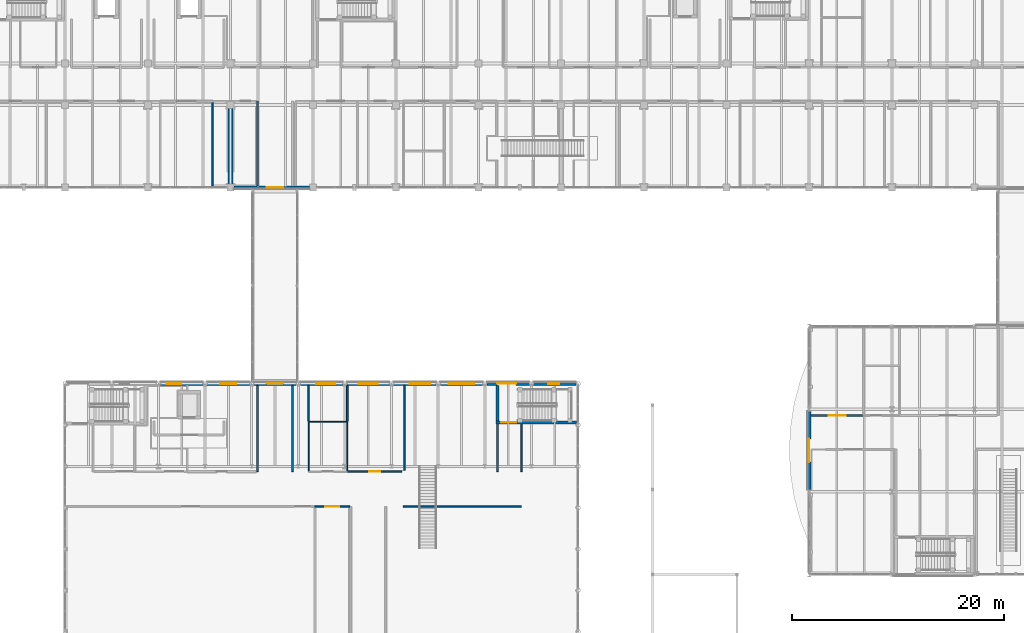
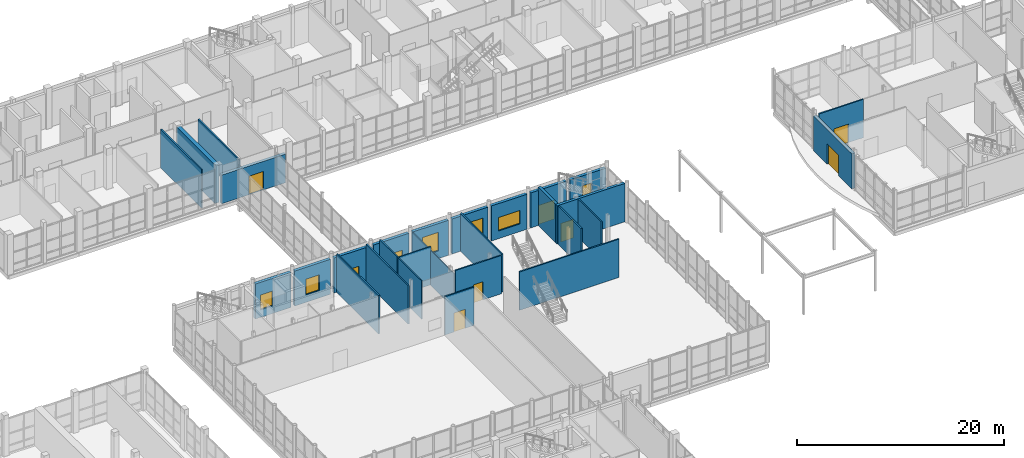
# One storey, part 99 of 131: 30 walls, 8 doors, 7 windows, 15 openings.
"""IFC4 building model written with IfcOpenShell, lengths in metres."""

from ifc_helpers import new_model, si_unit, direction, frame, frame_2d, origin, place, context, subcontext, project, spatial, rectangle, extrude, material, layer, layer_set, type_object, element, fill, save


model = new_model("IFC4")

# Units and contexts
model_context = context("Model", 3, precision=1e-05, world=origin(), true_north=direction((0.0, 1.0)))
body_context = subcontext(model_context, "Body", "Model", "MODEL_VIEW")
ifc_project = project(units=[si_unit("LENGTHUNIT", "METRE"), si_unit("AREAUNIT", "SQUARE_METRE"), si_unit("VOLUMEUNIT", "CUBIC_METRE"), si_unit("PLANEANGLEUNIT", "RADIAN"), si_unit("MASSUNIT", "GRAM", prefix="KILO")], contexts=[model_context])

# Site, building, storey
site_placement = place(None, origin())
site = spatial("IfcSite", under=ifc_project, at=site_placement, CompositionType="ELEMENT")
building_placement = place(site_placement, origin())
building = spatial("IfcBuilding", under=site, at=building_placement, Name="Celorna Specialist Clinic", CompositionType="ELEMENT")
storey_placement = place(building_placement, origin())
storey = spatial("IfcBuildingStorey", under=building, at=storey_placement, Name="L00", CompositionType="ELEMENT", Elevation=0.0)

# Wall
ifc_material_1 = material(Name="Concrete C40/50", Category="concrete")
ifc_layer_1 = layer(ifc_material_1, 0.449951171875, Name="Concrete C40/50")
ifc_layer_set_1 = layer_set([ifc_layer_1], Name="Concrete C40/50")
wall_type_1 = type_object("IfcWallType", Name="WT-04", PredefinedType="SHEAR", material=ifc_layer_set_1)
wall_1_placement = place(storey_placement, frame((70.199951171875, 96.68994140625, 0.0), z_axis=(0.0, 0.0, 1.0), x_axis=(0.0, 1.0, 0.0)))
element("IfcWall", 1, at=wall_1_placement, inside=storey, type_object=wall_type_1, Name="Structural RC shear wall WT-04 V4 L00", PredefinedType="SHEAR", context=body_context, shape_type="SweptSolid", body=[
    extrude(rectangle(XDim=7.4599609375, YDim=0.449951171875, at=frame_2d((3.72998046875, 0.0))), origin(), (0.0, 0.0, 1.0), 4.5400390625),
])

# Wall, opening, window
ifc_material_2 = material(Name="Pero Pinheiro Lioz limestone insulated masonry", Category="masonry")
ifc_layer_2 = layer(ifc_material_2, 0.340087890625, Name="Pero Pinheiro Lioz limestone insulated masonry")
ifc_layer_set_2 = layer_set([ifc_layer_2], Name="Pero Pinheiro Lioz limestone insulated masonry")
wall_type_2 = type_object("IfcWallType", Name="WT-07", PredefinedType="STANDARD", material=ifc_layer_set_2)
wall_2_placement = place(storey_placement, frame((63.603271484375, 78.0, 0.0), z_axis=(0.0, 0.0, 1.0), x_axis=(1.0, 0.0, 0.0)))
wall_2 = element("IfcWall", 2, at=wall_2_placement, inside=storey, type_object=wall_type_2, Name="External facade wall WT-07 #82", PredefinedType="STANDARD", context=body_context, shape_type="SweptSolid", body=[
    extrude(rectangle(XDim=3.993408203125, YDim=0.340087890625, at=frame_2d((1.99658203125, 0.0))), origin(), (0.0, 0.0, 1.0), 4.139892578125),
])
opening_1_placement = place(wall_2_placement, frame((0.593505859375, 0.0, 0.89990234375)))
opening_1 = element("IfcOpeningElement", 3, at=opening_1_placement, cuts=wall_2, Name="Opening WN-07", PredefinedType="OPENING", context=body_context, shape_type="SweptSolid", body=[
    extrude(rectangle(XDim=1.35009765625, YDim=1.75, at=frame_2d((0.675048828125, 0.875))), frame((0.0, 0.179931640625, 0.0), z_axis=(0.0, -1.0, 0.0), x_axis=(1.0, 0.0, 0.0)), (0.0, 0.0, 1.0), 0.360107421875),
])
ifc_material_3 = material(Name="Thermally broken aluminium triple-glazed window", Category="aluminium")
window_type_1 = type_object("IfcWindowType", Name="WN-07", PartitioningType="SINGLE_PANEL", PredefinedType="WINDOW", material=ifc_material_3)
window_1_placement = place(opening_1_placement, origin())
window_1 = element("IfcWindow", 4, at=window_1_placement, inside=storey, type_object=window_type_1, Name="Facade window WN-07 #2", OverallHeight=1.75, OverallWidth=1.35009765625, PartitioningType="SINGLE_PANEL", PredefinedType="WINDOW", context=body_context, shape_type="SweptSolid", body=[
    extrude(rectangle(XDim=1.35009765625, YDim=1.75, at=frame_2d((0.675048828125, 0.875))), frame((0.0, 0.030029296875, 0.0), z_axis=(0.0, -1.0, 0.0), x_axis=(1.0, 0.0, 0.0)), (0.0, 0.0, 1.0), 0.06005859375),
])
fill(opening_1, window_1)

wall_3_placement = place(storey_placement, frame((68.003173828125, 78.0, 0.0), z_axis=(0.0, 0.0, 1.0), x_axis=(1.0, 0.0, 0.0)))
wall_3 = element("IfcWall", 5, at=wall_3_placement, inside=storey, type_object=wall_type_2, Name="External facade wall WT-07 #83", PredefinedType="STANDARD", context=body_context, shape_type="SweptSolid", body=[
    extrude(rectangle(XDim=3.99365234375, YDim=0.340087890625, at=frame_2d((1.996826171875, 0.0))), origin(), (0.0, 0.0, 1.0), 4.139892578125),
])
opening_2_placement = place(wall_3_placement, frame((1.246826171875, 0.0, 0.89990234375)))
opening_2 = element("IfcOpeningElement", 6, at=opening_2_placement, cuts=wall_3, Name="Opening WN-09", PredefinedType="OPENING", context=body_context, shape_type="SweptSolid", body=[
    extrude(rectangle(XDim=1.5, YDim=1.85009765625, at=frame_2d((0.75, 0.925048828125))), frame((0.0, 0.179931640625, 0.0), z_axis=(0.0, -1.0, 0.0), x_axis=(1.0, 0.0, 0.0)), (0.0, 0.0, 1.0), 0.360107421875),
])
window_type_2 = type_object("IfcWindowType", Name="WN-09", PartitioningType="SINGLE_PANEL", PredefinedType="WINDOW", material=ifc_material_3)
window_2_placement = place(opening_2_placement, origin())
window_2 = element("IfcWindow", 7, at=window_2_placement, inside=storey, type_object=window_type_2, Name="Facade window WN-09 #3", OverallHeight=1.85009765625, OverallWidth=1.5, PartitioningType="SINGLE_PANEL", PredefinedType="WINDOW", context=body_context, shape_type="SweptSolid", body=[
    extrude(rectangle(XDim=1.5, YDim=1.85009765625, at=frame_2d((0.75, 0.925048828125))), frame((0.0, 0.030029296875, 0.0), z_axis=(0.0, -1.0, 0.0), x_axis=(1.0, 0.0, 0.0)), (0.0, 0.0, 1.0), 0.06005859375),
])
fill(opening_2, window_2)

# Wall, opening, door
wall_4_placement = place(storey_placement, frame((72.4033203125, 78.0, 0.0), z_axis=(0.0, 0.0, 1.0), x_axis=(1.0, 0.0, 0.0)))
wall_4 = element("IfcWall", 8, at=wall_4_placement, inside=storey, type_object=wall_type_2, Name="External facade wall WT-07 #84", PredefinedType="STANDARD", context=body_context, shape_type="SweptSolid", body=[
    extrude(rectangle(XDim=3.993408203125, YDim=0.340087890625, at=frame_2d((1.99658203125, 0.0))), origin(), (0.0, 0.0, 1.0), 4.139892578125),
])
opening_3_placement = place(wall_4_placement, frame((1.19677734375, 0.0, 0.0)))
opening_3 = element("IfcOpeningElement", 9, at=opening_3_placement, cuts=wall_4, Name="Opening DR-12", PredefinedType="OPENING", context=body_context, shape_type="SweptSolid", body=[
    extrude(rectangle(XDim=1.60009765625, YDim=2.199951171875, at=frame_2d((0.800048828125, 1.10009765625))), frame((0.0, 0.179931640625, 0.0), z_axis=(0.0, -1.0, 0.0), x_axis=(1.0, 0.0, 0.0)), (0.0, 0.0, 1.0), 0.360107421875),
])
ifc_material_4 = material(Name="Corridor cross-compartment pair door")
door_type_1 = type_object("IfcDoorType", Name="DR-12", OperationType="DOUBLE_DOOR_SINGLE_SWING", PredefinedType="DOOR", material=ifc_material_4)
door_1_placement = place(opening_3_placement, origin())
door_1 = element("IfcDoor", 10, at=door_1_placement, inside=storey, type_object=door_type_1, Name="Bridge BR-04 south/west portal door L00", OperationType="DOUBLE_DOOR_SINGLE_SWING", OverallHeight=2.199951171875, OverallWidth=1.60009765625, PredefinedType="DOOR", context=body_context, shape_type="SweptSolid", body=[
    extrude(rectangle(XDim=1.60009765625, YDim=2.199951171875, at=frame_2d((0.800048828125, 1.10009765625))), frame((0.0, 0.02490234375, 0.0), z_axis=(0.0, -1.0, 0.0), x_axis=(1.0, 0.0, 0.0)), (0.0, 0.0, 1.0), 0.050048828125),
])
fill(opening_3, door_1)

# Wall, opening, window
wall_5_placement = place(storey_placement, frame((76.80322265625, 78.0, 0.0), z_axis=(0.0, 0.0, 1.0), x_axis=(1.0, 0.0, 0.0)))
wall_5 = element("IfcWall", 11, at=wall_5_placement, inside=storey, type_object=wall_type_2, Name="External facade wall WT-07 #85", PredefinedType="STANDARD", context=body_context, shape_type="SweptSolid", body=[
    extrude(rectangle(XDim=3.99365234375, YDim=0.340087890625, at=frame_2d((1.996826171875, 0.0))), origin(), (0.0, 0.0, 1.0), 4.139892578125),
])
opening_4_placement = place(wall_5_placement, frame((1.47021484375, 0.0, 0.89990234375)))
opening_4 = element("IfcOpeningElement", 12, at=opening_4_placement, cuts=wall_5, Name="Opening WN-12", PredefinedType="OPENING", context=body_context, shape_type="SweptSolid", body=[
    extrude(rectangle(XDim=1.800048828125, YDim=1.5, at=frame_2d((0.89990234375, 0.75))), frame((0.0, 0.179931640625, 0.0), z_axis=(0.0, -1.0, 0.0), x_axis=(1.0, 0.0, 0.0)), (0.0, 0.0, 1.0), 0.360107421875),
])
window_type_3 = type_object("IfcWindowType", Name="WN-12", PartitioningType="SINGLE_PANEL", PredefinedType="WINDOW", material=ifc_material_3)
window_3_placement = place(opening_4_placement, origin())
window_3 = element("IfcWindow", 13, at=window_3_placement, inside=storey, type_object=window_type_3, Name="Facade window WN-12 #4", OverallHeight=1.5, OverallWidth=1.800048828125, PartitioningType="SINGLE_PANEL", PredefinedType="WINDOW", context=body_context, shape_type="SweptSolid", body=[
    extrude(rectangle(XDim=1.800048828125, YDim=1.5, at=frame_2d((0.89990234375, 0.75))), frame((0.0, 0.030029296875, 0.0), z_axis=(0.0, -1.0, 0.0), x_axis=(1.0, 0.0, 0.0)), (0.0, 0.0, 1.0), 0.06005859375),
])
fill(opening_4, window_3)

wall_6_placement = place(storey_placement, frame((81.203125, 78.0, 0.0), z_axis=(0.0, 0.0, 1.0), x_axis=(1.0, 0.0, 0.0)))
wall_6 = element("IfcWall", 14, at=wall_6_placement, inside=storey, type_object=wall_type_2, Name="External facade wall WT-07 #86", PredefinedType="STANDARD", context=body_context, shape_type="SweptSolid", body=[
    extrude(rectangle(XDim=3.99365234375, YDim=0.340087890625, at=frame_2d((1.996826171875, 0.0))), origin(), (0.0, 0.0, 1.0), 4.139892578125),
])
opening_5_placement = place(wall_6_placement, frame((1.0966796875, 0.0, 0.89990234375)))
opening_5 = element("IfcOpeningElement", 15, at=opening_5_placement, cuts=wall_6, Name="Opening WN-14", PredefinedType="OPENING", context=body_context, shape_type="SweptSolid", body=[
    extrude(rectangle(XDim=1.800048828125, YDim=2.199951171875, at=frame_2d((0.89990234375, 1.10009765625))), frame((0.0, 0.179931640625, 0.0), z_axis=(0.0, -1.0, 0.0), x_axis=(1.0, 0.0, 0.0)), (0.0, 0.0, 1.0), 0.360107421875),
])
window_type_4 = type_object("IfcWindowType", Name="WN-14", PartitioningType="SINGLE_PANEL", PredefinedType="WINDOW", material=ifc_material_3)
window_4_placement = place(opening_5_placement, origin())
window_4 = element("IfcWindow", 16, at=window_4_placement, inside=storey, type_object=window_type_4, Name="Facade window WN-14 #5", OverallHeight=2.199951171875, OverallWidth=1.800048828125, PartitioningType="SINGLE_PANEL", PredefinedType="WINDOW", context=body_context, shape_type="SweptSolid", body=[
    extrude(rectangle(XDim=1.800048828125, YDim=2.199951171875, at=frame_2d((0.89990234375, 1.10009765625))), frame((0.0, 0.030029296875, 0.0), z_axis=(0.0, -1.0, 0.0), x_axis=(1.0, 0.0, 0.0)), (0.0, 0.0, 1.0), 0.06005859375),
])
fill(opening_5, window_4)

wall_7_placement = place(storey_placement, frame((85.603271484375, 78.0, 0.0), z_axis=(0.0, 0.0, 1.0), x_axis=(1.0, 0.0, 0.0)))
wall_7 = element("IfcWall", 17, at=wall_7_placement, inside=storey, type_object=wall_type_2, Name="External facade wall WT-07 #87", PredefinedType="STANDARD", context=body_context, shape_type="SweptSolid", body=[
    extrude(rectangle(XDim=3.993408203125, YDim=0.340087890625, at=frame_2d((1.99658203125, 0.0))), origin(), (0.0, 0.0, 1.0), 4.139892578125),
])
opening_6_placement = place(wall_7_placement, frame((1.51025390625, 0.0, 0.89990234375)))
opening_6 = element("IfcOpeningElement", 18, at=opening_6_placement, cuts=wall_7, Name="Opening WN-16", PredefinedType="OPENING", context=body_context, shape_type="SweptSolid", body=[
    extrude(rectangle(XDim=1.949951171875, YDim=2.14990234375, at=frame_2d((0.97509765625, 1.074951171875))), frame((0.0, 0.179931640625, 0.0), z_axis=(0.0, -1.0, 0.0), x_axis=(1.0, 0.0, 0.0)), (0.0, 0.0, 1.0), 0.360107421875),
])
ifc_material_5 = material(Name="Screen-aligned modular clinic window")
window_type_5 = type_object("IfcWindowType", Name="WN-16", PartitioningType="SINGLE_PANEL", PredefinedType="WINDOW", material=ifc_material_5)
window_5_placement = place(opening_6_placement, origin())
window_5 = element("IfcWindow", 19, at=window_5_placement, inside=storey, type_object=window_type_5, Name="Facade window WN-16 #6", OverallHeight=2.14990234375, OverallWidth=1.949951171875, PartitioningType="SINGLE_PANEL", PredefinedType="WINDOW", context=body_context, shape_type="SweptSolid", body=[
    extrude(rectangle(XDim=1.949951171875, YDim=2.14990234375, at=frame_2d((0.97509765625, 1.074951171875))), frame((0.0, 0.030029296875, 0.0), z_axis=(0.0, -1.0, 0.0), x_axis=(1.0, 0.0, 0.0)), (0.0, 0.0, 1.0), 0.06005859375),
])
fill(opening_6, window_5)

wall_8_placement = place(storey_placement, frame((90.003173828125, 78.0, 0.0), z_axis=(0.0, 0.0, 1.0), x_axis=(1.0, 0.0, 0.0)))
wall_8 = element("IfcWall", 20, at=wall_8_placement, inside=storey, type_object=wall_type_2, Name="External facade wall WT-07 #88", PredefinedType="STANDARD", context=body_context, shape_type="SweptSolid", body=[
    extrude(rectangle(XDim=3.99365234375, YDim=0.340087890625, at=frame_2d((1.996826171875, 0.0))), origin(), (0.0, 0.0, 1.0), 4.139892578125),
])
opening_7_placement = place(wall_8_placement, frame((0.796875, 0.0, 0.89990234375)))
opening_7 = element("IfcOpeningElement", 21, at=opening_7_placement, cuts=wall_8, Name="Opening WN-18", PredefinedType="OPENING", context=body_context, shape_type="SweptSolid", body=[
    extrude(rectangle(XDim=2.39990234375, YDim=1.60009765625, at=frame_2d((1.199951171875, 0.800048828125))), frame((0.0, 0.179931640625, 0.0), z_axis=(0.0, -1.0, 0.0), x_axis=(1.0, 0.0, 0.0)), (0.0, 0.0, 1.0), 0.360107421875),
])
ifc_material_6 = material(Name="Infusion suite panoramic window")
window_type_6 = type_object("IfcWindowType", Name="WN-18", PartitioningType="SINGLE_PANEL", PredefinedType="WINDOW", material=ifc_material_6)
window_6_placement = place(opening_7_placement, origin())
window_6 = element("IfcWindow", 22, at=window_6_placement, inside=storey, type_object=window_type_6, Name="Facade window WN-18 #7", OverallHeight=1.60009765625, OverallWidth=2.39990234375, PartitioningType="SINGLE_PANEL", PredefinedType="WINDOW", context=body_context, shape_type="SweptSolid", body=[
    extrude(rectangle(XDim=2.39990234375, YDim=1.60009765625, at=frame_2d((1.199951171875, 0.800048828125))), frame((0.0, 0.030029296875, 0.0), z_axis=(0.0, -1.0, 0.0), x_axis=(1.0, 0.0, 0.0)), (0.0, 0.0, 1.0), 0.06005859375),
])
fill(opening_7, window_6)

# Wall, opening, door
wall_9_placement = place(storey_placement, frame((94.4033203125, 78.0, 0.0), z_axis=(0.0, 0.0, 1.0), x_axis=(1.0, 0.0, 0.0)))
wall_9 = element("IfcWall", 23, at=wall_9_placement, inside=storey, type_object=wall_type_2, Name="External facade wall WT-07 #89", PredefinedType="STANDARD", context=body_context, shape_type="SweptSolid", body=[
    extrude(rectangle(XDim=3.993408203125, YDim=0.340087890625, at=frame_2d((1.99658203125, 0.0))), origin(), (0.0, 0.0, 1.0), 4.139892578125),
])
opening_8_placement = place(wall_9_placement, frame((0.956787109375, 0.0, 0.0)))
opening_8 = element("IfcOpeningElement", 24, at=opening_8_placement, cuts=wall_9, Name="Opening DR-14", PredefinedType="OPENING", context=body_context, shape_type="SweptSolid", body=[
    extrude(rectangle(XDim=1.800048828125, YDim=2.25, at=frame_2d((0.89990234375, 1.125))), frame((0.0, 0.179931640625, 0.0), z_axis=(0.0, -1.0, 0.0), x_axis=(1.0, 0.0, 0.0)), (0.0, 0.0, 1.0), 0.360107421875),
])
ifc_material_7 = material(Name="Glazed aluminium final exit double door", Category="aluminium")
door_type_2 = type_object("IfcDoorType", Name="DR-14", OperationType="DOUBLE_DOOR_SINGLE_SWING", PredefinedType="DOOR", material=ifc_material_7)
door_2_placement = place(opening_8_placement, origin())
door_2 = element("IfcDoor", 25, at=door_2_placement, inside=storey, type_object=door_type_2, Name="Pedestrian final exit E11", OperationType="DOUBLE_DOOR_SINGLE_SWING", OverallHeight=2.25, OverallWidth=1.800048828125, PredefinedType="DOOR", context=body_context, shape_type="SweptSolid", body=[
    extrude(rectangle(XDim=1.800048828125, YDim=2.25, at=frame_2d((0.89990234375, 1.125))), frame((0.0, 0.02490234375, 0.0), z_axis=(0.0, -1.0, 0.0), x_axis=(1.0, 0.0, 0.0)), (0.0, 0.0, 1.0), 0.050048828125),
])
fill(opening_8, door_2)

# Wall, opening, window
wall_10_placement = place(storey_placement, frame((98.80322265625, 78.0, 0.0), z_axis=(0.0, 0.0, 1.0), x_axis=(1.0, 0.0, 0.0)))
wall_10 = element("IfcWall", 26, at=wall_10_placement, inside=storey, type_object=wall_type_2, Name="External facade wall WT-07 #90", PredefinedType="STANDARD", context=body_context, shape_type="SweptSolid", body=[
    extrude(rectangle(XDim=3.99365234375, YDim=0.340087890625, at=frame_2d((1.996826171875, 0.0))), origin(), (0.0, 0.0, 1.0), 4.139892578125),
])
opening_9_placement = place(wall_10_placement, frame((1.37841796875, 0.0, 0.89990234375)))
opening_9 = element("IfcOpeningElement", 27, at=opening_9_placement, cuts=wall_10, Name="Opening WN-22", PredefinedType="OPENING", context=body_context, shape_type="SweptSolid", body=[
    extrude(rectangle(XDim=1.050048828125, YDim=2.050048828125, at=frame_2d((0.52490234375, 1.02490234375))), frame((0.0, 0.179931640625, 0.0), z_axis=(0.0, -1.0, 0.0), x_axis=(1.0, 0.0, 0.0)), (0.0, 0.0, 1.0), 0.360107421875),
])
window_type_7 = type_object("IfcWindowType", Name="WN-22", PartitioningType="SINGLE_PANEL", PredefinedType="WINDOW", material=ifc_material_3)
window_7_placement = place(opening_9_placement, origin())
window_7 = element("IfcWindow", 28, at=window_7_placement, inside=storey, type_object=window_type_7, Name="Facade window WN-22 #8", OverallHeight=2.050048828125, OverallWidth=1.050048828125, PartitioningType="SINGLE_PANEL", PredefinedType="WINDOW", context=body_context, shape_type="SweptSolid", body=[
    extrude(rectangle(XDim=1.050048828125, YDim=2.050048828125, at=frame_2d((0.52490234375, 1.02490234375))), frame((0.0, 0.030029296875, 0.0), z_axis=(0.0, -1.0, 0.0), x_axis=(1.0, 0.0, 0.0)), (0.0, 0.0, 1.0), 0.06005859375),
])
fill(opening_9, window_7)

# Wall, opening, door
wall_11_placement = place(storey_placement, frame((124.800048828125, 67.9951171875, 0.0), z_axis=(0.0, 0.0, 1.0), x_axis=(0.0, 1.0, 0.0)))
wall_11 = element("IfcWall", 29, at=wall_11_placement, inside=storey, type_object=wall_type_2, Name="External facade wall WT-07 #146", PredefinedType="STANDARD", context=body_context, shape_type="SweptSolid", body=[
    extrude(rectangle(XDim=7.409912109375, YDim=0.340087890625, at=frame_2d((3.705078125, 0.0))), origin(), (0.0, 0.0, 1.0), 4.139892578125),
])
opening_10_placement = place(wall_11_placement, frame((2.60498046875, 0.0, 0.0)))
opening_10 = element("IfcOpeningElement", 30, at=opening_10_placement, cuts=wall_11, Name="Opening DR-15", PredefinedType="OPENING", context=body_context, shape_type="SweptSolid", body=[
    extrude(rectangle(XDim=2.199951171875, YDim=2.39990234375, at=frame_2d((1.10009765625, 1.199951171875))), frame((0.0, 0.179931640625, 0.0), z_axis=(0.0, -1.0, 0.0), x_axis=(1.0, 0.0, 0.0)), (0.0, 0.0, 1.0), 0.360107421875),
])
ifc_material_8 = material(Name="Cloister entrance glazed double door")
door_type_3 = type_object("IfcDoorType", Name="DR-15", OperationType="DOUBLE_DOOR_SINGLE_SWING", PredefinedType="DOOR", material=ifc_material_8)
door_3_placement = place(opening_10_placement, origin())
door_3 = element("IfcDoor", 31, at=door_3_placement, inside=storey, type_object=door_type_3, Name="Healing garden entrance E17", OperationType="DOUBLE_DOOR_SINGLE_SWING", OverallHeight=2.39990234375, OverallWidth=2.199951171875, PredefinedType="DOOR", context=body_context, shape_type="SweptSolid", body=[
    extrude(rectangle(XDim=2.199951171875, YDim=2.39990234375, at=frame_2d((1.10009765625, 1.199951171875))), frame((0.0, 0.02490234375, 0.0), z_axis=(0.0, -1.0, 0.0), x_axis=(1.0, 0.0, 0.0)), (0.0, 0.0, 1.0), 0.050048828125),
])
fill(opening_10, door_3)

wall_12_placement = place(storey_placement, frame((77.675048828125, 96.5, 0.0), z_axis=(0.0, 0.0, 1.0), x_axis=(-1.0, 0.0, 0.0)))
wall_12 = element("IfcWall", 32, at=wall_12_placement, inside=storey, type_object=wall_type_2, Name="External facade wall WT-07 #157", PredefinedType="STANDARD", context=body_context, shape_type="SweptSolid", body=[
    extrude(rectangle(XDim=7.150146484375, YDim=0.340087890625, at=frame_2d((3.5751953125, 0.0))), origin(), (0.0, 0.0, 1.0), 3.385009765625),
])
opening_11_placement = place(wall_12_placement, frame((2.47509765625, 0.0, 0.0)))
opening_11 = element("IfcOpeningElement", 33, at=opening_11_placement, cuts=wall_12, Name="Opening DR-12", PredefinedType="OPENING", context=body_context, shape_type="SweptSolid", body=[
    extrude(rectangle(XDim=1.60009765625, YDim=2.199951171875, at=frame_2d((0.800048828125, 1.10009765625))), frame((0.0, 0.179931640625, 0.0), z_axis=(0.0, -1.0, 0.0), x_axis=(1.0, 0.0, 0.0)), (0.0, 0.0, 1.0), 0.360107421875),
])
door_4_placement = place(opening_11_placement, frame((1.60009765625, 0.0, 0.0), z_axis=(0.0, 0.0, 1.0), x_axis=(-1.0, 0.0, 0.0)))
door_4 = element("IfcDoor", 34, at=door_4_placement, inside=storey, type_object=door_type_1, Name="Bridge BR-04 north/east portal door L00", OperationType="DOUBLE_DOOR_SINGLE_SWING", OverallHeight=2.199951171875, OverallWidth=1.60009765625, PredefinedType="DOOR", context=body_context, shape_type="SweptSolid", body=[
    extrude(rectangle(XDim=1.60009765625, YDim=2.199951171875, at=frame_2d((0.800048828125, 1.10009765625))), frame((0.0, 0.02490234375, 0.0), z_axis=(0.0, -1.0, 0.0), x_axis=(1.0, 0.0, 0.0)), (0.0, 0.0, 1.0), 0.050048828125),
])
fill(opening_11, door_4)

ifc_material_9 = material(Name="Concrete C35/45", Category="concrete")
ifc_layer_3 = layer(ifc_material_9, 0.300048828125, Name="Concrete C35/45")
ifc_layer_set_3 = layer_set([ifc_layer_3], Name="Concrete C35/45")
wall_type_3 = type_object("IfcWallType", Name="WT-08", PredefinedType="SHEAR", material=ifc_layer_set_3)
wall_13_placement = place(storey_placement, frame((95.239990234375, 74.330078125, 0.0), z_axis=(0.0, 0.0, 1.0), x_axis=(1.0, 0.0, 0.0)))
wall_13 = element("IfcWall", 35, at=wall_13_placement, inside=storey, type_object=wall_type_3, Name="Stair ST-11 RC core wall L00 south", PredefinedType="SHEAR", context=body_context, shape_type="SweptSolid", body=[
    extrude(rectangle(XDim=7.610107421875, YDim=0.300048828125, at=frame_2d((3.80517578125, 0.0))), origin(), (0.0, 0.0, 1.0), 4.5400390625),
])
opening_12_placement = place(wall_13_placement, frame((0.5, 0.0, 0.0)))
opening_12 = element("IfcOpeningElement", 36, at=opening_12_placement, cuts=wall_13, Name="Opening DR-10", PredefinedType="OPENING", context=body_context, shape_type="SweptSolid", body=[
    extrude(rectangle(XDim=1.39990234375, YDim=2.199951171875, at=frame_2d((0.699951171875, 1.10009765625))), frame((0.0, 0.159912109375, 0.0), z_axis=(0.0, -1.0, 0.0), x_axis=(1.0, 0.0, 0.0)), (0.0, 0.0, 1.0), 0.320068359375),
])
ifc_material_10 = material(Name="Protected exit stair fire door")
door_type_4 = type_object("IfcDoorType", Name="DR-10", OperationType="NOTDEFINED", PredefinedType="DOOR", material=ifc_material_10)
door_5_placement = place(opening_12_placement, origin())
door_5 = element("IfcDoor", 37, at=door_5_placement, inside=storey, type_object=door_type_4, Name="Protected exit stair door ST-11 L00", OperationType="SINGLE_SWING_RIGHT", OverallHeight=2.199951171875, OverallWidth=1.39990234375, PredefinedType="DOOR", context=body_context, shape_type="SweptSolid", body=[
    extrude(rectangle(XDim=1.39990234375, YDim=2.199951171875, at=frame_2d((0.699951171875, 1.10009765625))), frame((0.0, 0.02490234375, 0.0), z_axis=(0.0, -1.0, 0.0), x_axis=(1.0, 0.0, 0.0)), (0.0, 0.0, 1.0), 0.050048828125),
])
fill(opening_12, door_5)

# Walls
wall_14_placement = place(storey_placement, frame((95.389892578125, 77.85009765625, 0.0), z_axis=(0.0, 0.0, 1.0), x_axis=(0.0, -1.0, 0.0)))
element("IfcWall", 38, at=wall_14_placement, inside=storey, type_object=wall_type_3, Name="Stair ST-11 RC core wall L00 west", PredefinedType="SHEAR", context=body_context, shape_type="SweptSolid", body=[
    extrude(rectangle(XDim=3.3701171875, YDim=0.300048828125, at=frame_2d((1.68505859375, 0.0))), origin(), (0.0, 0.0, 1.0), 4.5400390625),
])
ifc_material_11 = material(Name="Fire-rated gypsum board partition")
ifc_layer_4 = layer(ifc_material_11, 0.14990234375, Name="Fire-rated gypsum board partition")
ifc_layer_set_4 = layer_set([ifc_layer_4], Name="Fire-rated gypsum board partition")
wall_type_4 = type_object("IfcWallType", Name="WT-14", PredefinedType="PARTITIONING", material=ifc_layer_set_4)
for number, where, z_axis, x_axis, name in (
    (39, (95.389892578125, 69.699951171875, 0.0), (0.0, 0.0, 1.0), (0.0, 1.0, 0.0), "Corridor spur partition WT-14"),
    (40, (97.639892578125, 69.699951171875, 0.0), (0.0, 0.0, 1.0), (0.0, 1.0, 0.0), "Corridor spur partition WT-14"),
):
    element("IfcWall", number, at=place(storey_placement, frame(where, z_axis=z_axis, x_axis=x_axis)), inside=storey, type_object=wall_type_4, Name=name, PredefinedType="PARTITIONING", context=body_context, shape_type="SweptSolid", body=[
        extrude(rectangle(XDim=4.47998046875, YDim=0.14990234375, at=frame_2d((2.239990234375, 0.0))), origin(), (0.0, 0.0, 1.0), 4.5400390625),
    ])
wall_15_placement = place(storey_placement, frame((86.5, 66.39990234375, 0.0), z_axis=(0.0, 0.0, 1.0), x_axis=(1.0, 0.0, 0.0)))
element("IfcWall", 41, at=wall_15_placement, inside=storey, type_object=wall_type_4, Name="Corridor spur partition WT-14", PredefinedType="PARTITIONING", context=body_context, shape_type="SweptSolid", body=[
    extrude(rectangle(XDim=11.139892578125, YDim=0.14990234375, at=frame_2d((5.56982421875, 0.0))), origin(), (0.0, 0.0, 1.0), 4.5400390625),
])
for number, where, z_axis, x_axis, name in (
    (42, (72.75, 69.699951171875, 0.0), (0.0, 0.0, 1.0), (0.0, 1.0, 0.0), "Corridor spur partition WT-14"),
    (43, (76.050048828125, 69.699951171875, 0.0), (0.0, 0.0, 1.0), (0.0, 1.0, 0.0), "Corridor spur partition WT-14"),
):
    element("IfcWall", number, at=place(storey_placement, frame(where, z_axis=z_axis, x_axis=x_axis)), inside=storey, type_object=wall_type_4, Name=name, PredefinedType="PARTITIONING", context=body_context, shape_type="SweptSolid", body=[
        extrude(rectangle(XDim=8.130126953125, YDim=0.14990234375, at=frame_2d((4.06494140625, 0.0))), origin(), (0.0, 0.0, 1.0), 4.5400390625),
    ])
wall_16_placement = place(storey_placement, frame((72.75, 96.669921875, 0.0), z_axis=(0.0, 0.0, 1.0), x_axis=(0.0, 1.0, 0.0)))
element("IfcWall", 44, at=wall_16_placement, inside=storey, type_object=wall_type_4, Name="Corridor spur partition WT-14", PredefinedType="PARTITIONING", context=body_context, shape_type="SweptSolid", body=[
    extrude(rectangle(XDim=7.97998046875, YDim=0.14990234375, at=frame_2d((3.989990234375, 0.0))), origin(), (0.0, 0.0, 1.0), 4.2099609375),
])

# Wall, opening, door
wall_17_placement = place(storey_placement, frame((81.429931640625, 66.39990234375, 0.0), z_axis=(0.0, 0.0, 1.0), x_axis=(-1.0, 0.0, 0.0)))
wall_17 = element("IfcWall", 45, at=wall_17_placement, inside=storey, type_object=wall_type_4, Name="Interior partition WT-14 L00-018", PredefinedType="PARTITIONING", context=body_context, shape_type="SweptSolid", body=[
    extrude(rectangle(XDim=3.260009765625, YDim=0.14990234375, at=frame_2d((1.6298828125, 0.0))), origin(), (0.0, 0.0, 1.0), 4.5400390625),
])
opening_13_placement = place(wall_17_placement, frame((0.989990234375, 0.0, 0.0)))
opening_13 = element("IfcOpeningElement", 46, at=opening_13_placement, cuts=wall_17, Name="Opening DR-22", PredefinedType="OPENING", context=body_context, shape_type="SweptSolid", body=[
    extrude(rectangle(XDim=1.280029296875, YDim=2.25, at=frame_2d((0.64013671875, 1.125))), frame((0.0, 0.0849609375, 0.0), z_axis=(0.0, -1.0, 0.0), x_axis=(1.0, 0.0, 0.0)), (0.0, 0.0, 1.0), 0.169921875),
])
ifc_material_12 = material(Name="Diagnostic procedure room door")
door_type_5 = type_object("IfcDoorType", Name="DR-22", OperationType="NOTDEFINED", PredefinedType="DOOR", material=ifc_material_12)
door_6_placement = place(opening_13_placement, origin())
door_6 = element("IfcDoor", 47, at=door_6_placement, inside=storey, type_object=door_type_5, Name="Infusion Suite door L00-018", OperationType="SINGLE_SWING_LEFT", OverallHeight=2.25, OverallWidth=1.280029296875, PredefinedType="DOOR", context=body_context, shape_type="SweptSolid", body=[
    extrude(rectangle(XDim=1.280029296875, YDim=2.25, at=frame_2d((0.64013671875, 1.125))), frame((0.0, 0.02490234375, 0.0), z_axis=(0.0, -1.0, 0.0), x_axis=(1.0, 0.0, 0.0)), (0.0, 0.0, 1.0), 0.050048828125),
])
fill(opening_13, door_6)

wall_18_placement = place(storey_placement, frame((81.219970703125, 69.699951171875, 0.0), z_axis=(0.0, 0.0, 1.0), x_axis=(1.0, 0.0, 0.0)))
wall_18 = element("IfcWall", 48, at=wall_18_placement, inside=storey, type_object=wall_type_4, Name="Interior partition WT-14 L00-023", PredefinedType="PARTITIONING", context=body_context, shape_type="SweptSolid", body=[
    extrude(rectangle(XDim=5.159912109375, YDim=0.14990234375, at=frame_2d((2.580078125, 0.0))), origin(), (0.0, 0.0, 1.0), 4.5400390625),
])
opening_14_placement = place(wall_18_placement, frame((2.050048828125, 0.0, 0.0)))
opening_14 = element("IfcOpeningElement", 49, at=opening_14_placement, cuts=wall_18, Name="Opening DR-05", PredefinedType="OPENING", context=body_context, shape_type="SweptSolid", body=[
    extrude(rectangle(XDim=1.050048828125, YDim=2.14990234375, at=frame_2d((0.52490234375, 1.074951171875))), frame((0.0, 0.0849609375, 0.0), z_axis=(0.0, -1.0, 0.0), x_axis=(1.0, 0.0, 0.0)), (0.0, 0.0, 1.0), 0.169921875),
])
ifc_material_13 = material(Name="Timber examination room door", Category="wood")
door_type_6 = type_object("IfcDoorType", Name="DR-05", OperationType="NOTDEFINED", PredefinedType="DOOR", material=ifc_material_13)
door_7_placement = place(opening_14_placement, origin())
door_7 = element("IfcDoor", 50, at=door_7_placement, inside=storey, type_object=door_type_6, Name="Infusion Suite door L00-023", OperationType="SINGLE_SWING_RIGHT", OverallHeight=2.14990234375, OverallWidth=1.050048828125, PredefinedType="DOOR", context=body_context, shape_type="SweptSolid", body=[
    extrude(rectangle(XDim=1.050048828125, YDim=2.14990234375, at=frame_2d((0.52490234375, 1.074951171875))), frame((0.0, 0.02490234375, 0.0), z_axis=(0.0, -1.0, 0.0), x_axis=(1.0, 0.0, 0.0)), (0.0, 0.0, 1.0), 0.050048828125),
])
fill(opening_14, door_7)

wall_19_placement = place(storey_placement, frame((124.969970703125, 75.0, 0.0), z_axis=(0.0, 0.0, 1.0), x_axis=(1.0, 0.0, 0.0)))
wall_19 = element("IfcWall", 51, at=wall_19_placement, inside=storey, type_object=wall_type_4, Name="Interior partition WT-14 L00-042", PredefinedType="PARTITIONING", context=body_context, shape_type="SweptSolid", body=[
    extrude(rectangle(XDim=4.949951171875, YDim=0.14990234375, at=frame_2d((2.47509765625, 0.0))), origin(), (0.0, 0.0, 1.0), 4.5400390625),
])
opening_15_placement = place(wall_19_placement, frame((1.675048828125, 0.0, 0.0)))
opening_15 = element("IfcOpeningElement", 52, at=opening_15_placement, cuts=wall_19, Name="Opening DR-12", PredefinedType="OPENING", context=body_context, shape_type="SweptSolid", body=[
    extrude(rectangle(XDim=1.60009765625, YDim=2.199951171875, at=frame_2d((0.800048828125, 1.10009765625))), frame((0.0, 0.0849609375, 0.0), z_axis=(0.0, -1.0, 0.0), x_axis=(1.0, 0.0, 0.0)), (0.0, 0.0, 1.0), 0.169921875),
])
door_8_placement = place(opening_15_placement, origin())
door_8 = element("IfcDoor", 53, at=door_8_placement, inside=storey, type_object=door_type_1, Name="Patient Cafe and Cloister Lounge door L00-042", OperationType="DOUBLE_DOOR_SINGLE_SWING", OverallHeight=2.199951171875, OverallWidth=1.60009765625, PredefinedType="DOOR", context=body_context, shape_type="SweptSolid", body=[
    extrude(rectangle(XDim=1.60009765625, YDim=2.199951171875, at=frame_2d((0.800048828125, 1.10009765625))), frame((0.0, 0.02490234375, 0.0), z_axis=(0.0, -1.0, 0.0), x_axis=(1.0, 0.0, 0.0)), (0.0, 0.0, 1.0), 0.050048828125),
])
fill(opening_15, door_8)

# Walls
wall_20_placement = place(storey_placement, frame((81.219970703125, 74.449951171875, 0.0), z_axis=(0.0, 0.0, 1.0), x_axis=(0.0, 1.0, 0.0)))
element("IfcWall", 54, at=wall_20_placement, inside=storey, type_object=wall_type_4, Name="Room dividing partition WT-14 L00-023", PredefinedType="PARTITIONING", context=body_context, shape_type="SweptSolid", body=[
    extrude(rectangle(XDim=3.380126953125, YDim=0.14990234375, at=frame_2d((1.68994140625, 0.0))), origin(), (0.0, 0.0, 1.0), 4.090087890625),
])
wall_21_placement = place(storey_placement, frame((86.60009765625, 69.820068359375, 0.0), z_axis=(0.0, 0.0, 1.0), x_axis=(0.0, 1.0, 0.0)))
element("IfcWall", 55, at=wall_21_placement, inside=storey, type_object=wall_type_4, Name="Room dividing partition WT-14 L00-023", PredefinedType="PARTITIONING", context=body_context, shape_type="SweptSolid", body=[
    extrude(rectangle(XDim=8.010009765625, YDim=0.14990234375, at=frame_2d((4.0048828125, 0.0))), origin(), (0.0, 0.0, 1.0), 4.5400390625),
])
wall_22_placement = place(storey_placement, frame((77.570068359375, 74.449951171875, 0.0), z_axis=(0.0, 0.0, 1.0), x_axis=(0.0, 1.0, 0.0)))
element("IfcWall", 56, at=wall_22_placement, inside=storey, type_object=wall_type_4, Name="Room dividing partition WT-14 L00-023", PredefinedType="PARTITIONING", context=body_context, shape_type="SweptSolid", body=[
    extrude(rectangle(XDim=3.380126953125, YDim=0.14990234375, at=frame_2d((1.68994140625, 0.0))), origin(), (0.0, 0.0, 1.0), 4.5400390625),
])
wall_23_placement = place(storey_placement, frame((68.52001953125, 96.669921875, 0.0), z_axis=(0.0, 0.0, 1.0), x_axis=(0.0, 1.0, 0.0)))
element("IfcWall", 57, at=wall_23_placement, inside=storey, type_object=wall_type_4, Name="Room dividing partition WT-14 L00-053", PredefinedType="PARTITIONING", context=body_context, shape_type="SweptSolid", body=[
    extrude(rectangle(XDim=7.905029296875, YDim=0.14990234375, at=frame_2d((3.95263671875, 0.0))), origin(), (0.0, 0.0, 1.0), 4.5400390625),
])
ifc_material_14 = material(Name="Moisture-resistant gypsum partition")
ifc_layer_5 = layer(ifc_material_14, 0.10009765625, Name="Moisture-resistant gypsum partition")
ifc_layer_set_5 = layer_set([ifc_layer_5], Name="Moisture-resistant gypsum partition")
wall_type_5 = type_object("IfcWallType", Name="WT-16", PredefinedType="PARTITIONING", material=ifc_layer_set_5)
wall_24_placement = place(storey_placement, frame((77.570068359375, 74.39990234375, 0.0), z_axis=(0.0, 0.0, 1.0), x_axis=(1.0, 0.0, 0.0)))
element("IfcWall", 58, at=wall_24_placement, inside=storey, type_object=wall_type_5, Name="Sanitary suite rear partition L00-022", PredefinedType="PARTITIONING", context=body_context, shape_type="SweptSolid", body=[
    extrude(rectangle(XDim=3.64990234375, YDim=0.10009765625, at=frame_2d((1.824951171875, 0.0))), origin(), (0.0, 0.0, 1.0), 4.5400390625),
])
wall_25_placement = place(storey_placement, frame((77.570068359375, 69.75, 0.0), z_axis=(0.0, 0.0, 1.0), x_axis=(0.0, 1.0, 0.0)))
element("IfcWall", 59, at=wall_25_placement, inside=storey, type_object=wall_type_5, Name="Room dividing partition WT-16 L00-022", PredefinedType="PARTITIONING", context=body_context, shape_type="SweptSolid", body=[
    extrude(rectangle(XDim=4.60009765625, YDim=0.10009765625, at=frame_2d((2.300048828125, 0.0))), origin(), (0.0, 0.0, 1.0), 4.5400390625),
])
wall_26_placement = place(storey_placement, frame((81.219970703125, 69.77490234375, 0.0), z_axis=(0.0, 0.0, 1.0), x_axis=(0.0, 1.0, 0.0)))
element("IfcWall", 60, at=wall_26_placement, inside=storey, type_object=wall_type_5, Name="Room dividing partition WT-16 L00-022", PredefinedType="PARTITIONING", context=body_context, shape_type="SweptSolid", body=[
    extrude(rectangle(XDim=4.5751953125, YDim=0.10009765625, at=frame_2d((2.28759765625, 0.0))), origin(), (0.0, 0.0, 1.0), 4.090087890625),
])

save(model, "model.ifc")
